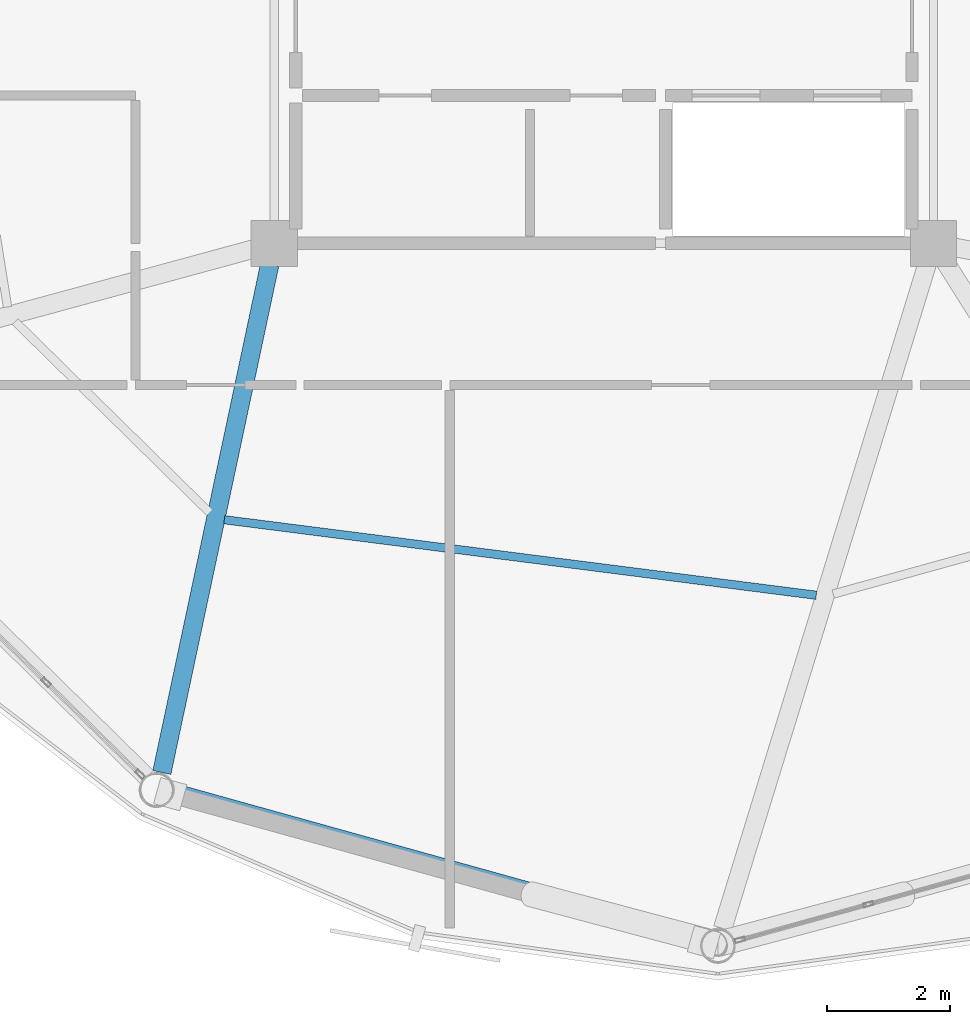
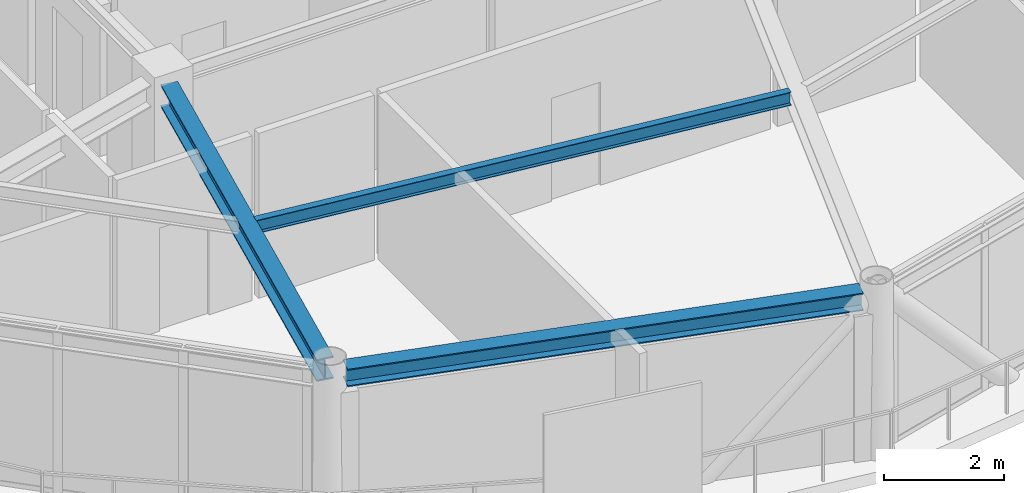
# One storey, part 3 of 26: 3 beams.
"""IFC4 building model written with IfcOpenShell, lengths in metres."""

from ifc_helpers import new_model, si_unit, direction, frame, origin, origin_2d, place, context, subcontext, project, spatial, i_section, extrude, material, material_profile, profile_set, type_object, element, save


model = new_model("IFC4")

# Units and contexts
model_context = context("Model", 3, precision=1e-05, world=origin(), true_north=direction((0.0, 1.0)))
body_context = subcontext(model_context, "Body", "Model", "MODEL_VIEW")
ifc_project = project(units=[si_unit("LENGTHUNIT", "METRE"), si_unit("AREAUNIT", "SQUARE_METRE"), si_unit("VOLUMEUNIT", "CUBIC_METRE"), si_unit("PLANEANGLEUNIT", "RADIAN"), si_unit("MASSUNIT", "GRAM", prefix="KILO")], contexts=[model_context])

# Site, building, storey
site_placement = place(None, origin())
site = spatial("IfcSite", under=ifc_project, at=site_placement, CompositionType="ELEMENT")
building_placement = place(site_placement, origin())
building = spatial("IfcBuilding", under=site, at=building_placement, Name="Varnakorn Sky Granary", CompositionType="ELEMENT")
storey_placement = place(building_placement, frame((0.0, 0.0, 256.199951171875)))
storey = spatial("IfcBuildingStorey", under=building, at=storey_placement, Name="L65", CompositionType="ELEMENT", Elevation=256.199951171875)

# Beams
ifc_material = material(Name="Steel S355JR", Category="steel")
ifc_material_profile_1 = material_profile(ifc_material, i_section(OverallWidth=0.300048828125, OverallDepth=0.449951171875, WebThickness=0.013916015625, FlangeThickness=0.02587890625, at=origin_2d()), Name="HE 450 B")
ifc_profile_set_1 = profile_set([ifc_material_profile_1], Name="Steel S355JR")
beam_type_1 = type_object("IfcBeamType", Name="BM-RAD-Z5", PredefinedType="BEAM", material=ifc_profile_set_1)
beam_1_placement = place(storey_placement, frame((-2.423583984375, -6.947265625, 3.135009765625), z_axis=(-0.207733628914, -0.978185432021, 0.0), x_axis=(0.978185432021, -0.207733628914, 0.0)))
element("IfcBeam", 1, at=beam_1_placement, inside=storey, type_object=beam_type_1, Name="Radial Floor Girder RG09 L65", PredefinedType="BEAM", context=body_context, shape_type="SweptSolid", body=[
    extrude(i_section(OverallWidth=0.300048828125, OverallDepth=0.449951171875, WebThickness=0.013916015625, FlangeThickness=0.02587890625, at=origin_2d()), origin(), (0.0, 0.0, 1.0), 8.42431640625),
])
ifc_material_profile_2 = material_profile(ifc_material, i_section(OverallWidth=0.135009765625, OverallDepth=0.27001953125, WebThickness=0.006591796875, FlangeThickness=0.01025390625, at=origin_2d()), Name="IPE 270")
ifc_profile_set_2 = profile_set([ifc_material_profile_2], Name="Steel S355JR")
beam_type_2 = type_object("IfcBeamType", Name="BM-SEC-Z5", PredefinedType="BEAM", material=ifc_profile_set_2)
beam_2_placement = place(storey_placement, frame((-3.159912109375, -11.085205078125, 3.22509765625), z_axis=(0.991958602341, -0.126562756139, 0.0), x_axis=(0.126562756139, 0.991958602341, 0.0)))
element("IfcBeam", 2, at=beam_2_placement, inside=storey, type_object=beam_type_2, Name="Secondary Floor Chord Beam MSB09 L65", PredefinedType="BEAM", context=body_context, shape_type="SweptSolid", body=[
    extrude(i_section(OverallWidth=0.135009765625, OverallDepth=0.27001953125, WebThickness=0.006591796875, FlangeThickness=0.01025390625, at=origin_2d()), origin(), (0.0, 0.0, 1.0), 9.685546875),
])
ifc_material_profile_3 = material_profile(ifc_material, i_section(OverallWidth=0.300048828125, OverallDepth=0.360107421875, WebThickness=0.012451171875, FlangeThickness=0.0224609375, at=origin_2d()), Name="HE 360 B")
ifc_profile_set_3 = profile_set([ifc_material_profile_3], Name="Steel S355JR")
beam_type_3 = type_object("IfcBeamType", Name="BM-SPD-Z5", PredefinedType="SPANDREL", material=ifc_profile_set_3)
beam_3_placement = place(storey_placement, frame((-3.9736328125, -15.517333984375, 3.179931640625), z_axis=(0.963443151214, -0.267912848477, 0.0), x_axis=(0.267912848477, 0.963443151214, 0.0)))
element("IfcBeam", 3, at=beam_3_placement, inside=storey, type_object=beam_type_3, Name="Perimeter Spandrel Ring Beam RB09 L65", PredefinedType="SPANDREL", context=body_context, shape_type="SweptSolid", body=[
    extrude(i_section(OverallWidth=0.300048828125, OverallDepth=0.360107421875, WebThickness=0.012451171875, FlangeThickness=0.0224609375, at=origin_2d()), origin(), (0.0, 0.0, 1.0), 8.89404296875),
])

save(model, "model.ifc")
